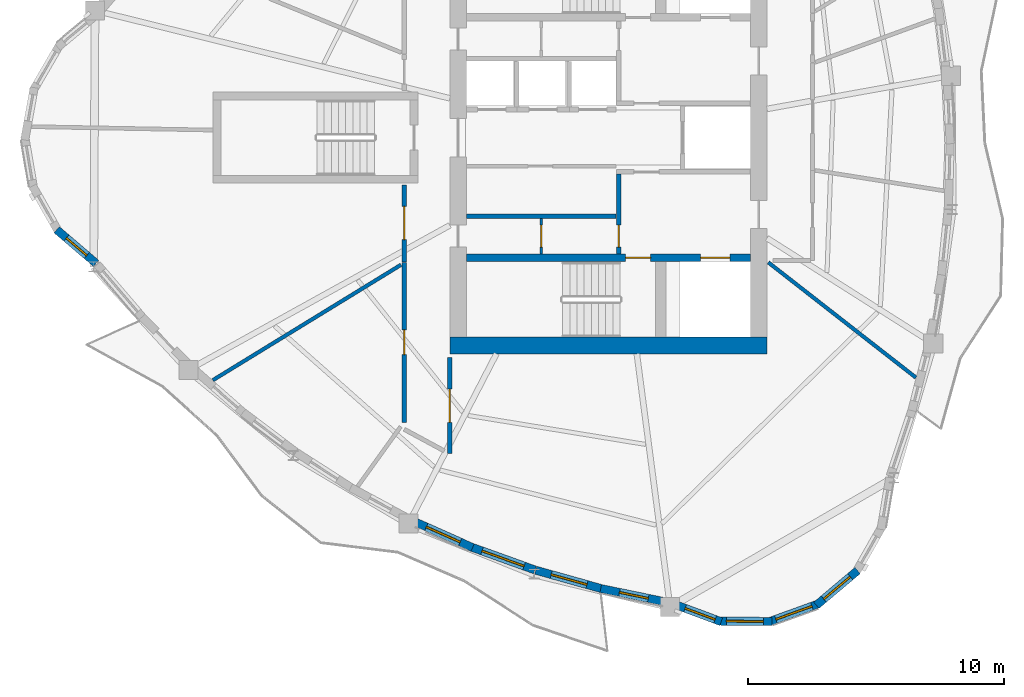
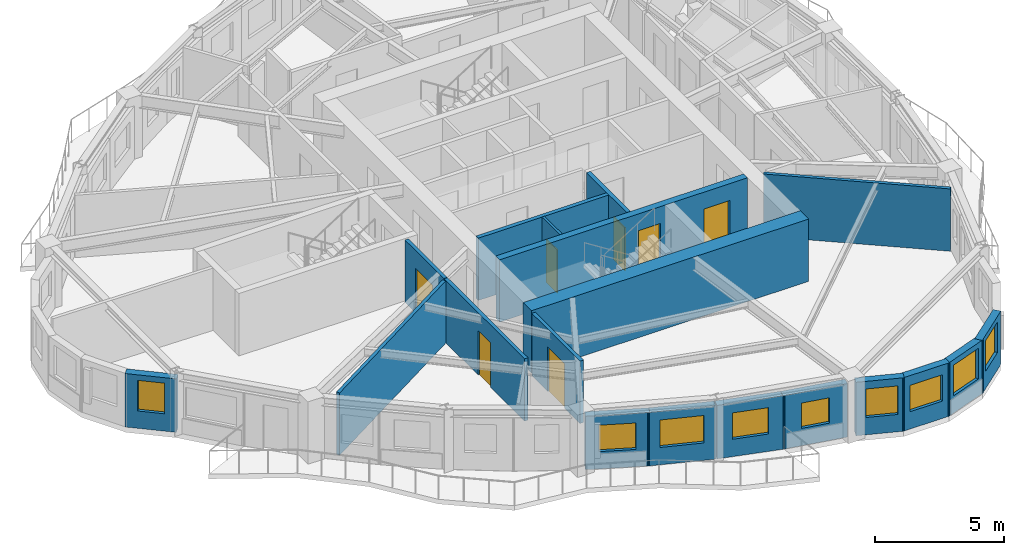
# One storey, part 3 of 12: 19 walls, 9 windows, 7 doors, 16 openings.
"""IFC4 building model written with IfcOpenShell, lengths in metres."""

from ifc_helpers import new_model, si_unit, direction, frame, frame_2d, origin, place, context, subcontext, project, spatial, rectangle, extrude, source, transform, mapped, material, layer, layer_set, type_object, element, fill, save


model = new_model("IFC4")

# Units and contexts
model_context = context("Model", 3, precision=1e-05, world=origin(), true_north=direction((0.0, 1.0)))
body_context = subcontext(model_context, "Body", "Model", "MODEL_VIEW")
ifc_project = project(units=[si_unit("LENGTHUNIT", "METRE"), si_unit("AREAUNIT", "SQUARE_METRE"), si_unit("VOLUMEUNIT", "CUBIC_METRE"), si_unit("PLANEANGLEUNIT", "RADIAN"), si_unit("MASSUNIT", "GRAM", prefix="KILO")], contexts=[model_context])

# Site, building, storey
site_placement = place(None, origin())
site = spatial("IfcSite", under=ifc_project, at=site_placement, CompositionType="ELEMENT")
building_placement = place(site_placement, origin())
building = spatial("IfcBuilding", under=site, at=building_placement, Name="Qafzar Sky-Pleat Residences", CompositionType="ELEMENT")
storey_placement = place(building_placement, frame((0.0, 0.0, 171.39990234375)))
storey = spatial("IfcBuildingStorey", under=building, at=storey_placement, Name="L51", CompositionType="ELEMENT", Elevation=171.39990234375)

# Wall, opening, door
ifc_material_1 = material(Name="Acoustic gypsum plasterboard partition", Category="gypsum")
ifc_layer_1 = layer(ifc_material_1, 0.159912109375)
ifc_layer_set_1 = layer_set([ifc_layer_1], Name="Acoustic gypsum plasterboard partition")
wall_type_1 = type_object("IfcWallType", Name="PART-COR-160", PredefinedType="PARTITIONING", material=ifc_layer_set_1)
wall_1_placement = place(storey_placement, frame((22.3701171875, 14.87109375, 0.0), z_axis=(0.0, 0.0, 1.0), x_axis=(0.0, 1.0, 0.0)))
wall_1 = element("IfcWall", 1, at=wall_1_placement, inside=storey, type_object=wall_type_1, Name="L51 Partition Wall PART-L51-PW-001", PredefinedType="PARTITIONING", context=body_context, shape_type="SweptSolid", body=[
    extrude(rectangle(XDim=6.251953125, YDim=0.159912109375, at=frame_2d((3.1259765625, 0.0))), origin(), (0.0, 0.0, 1.0), 2.9501953125),
])
opening_1_placement = place(wall_1_placement, frame((2.64990234375, 0.0, 0.0)))
opening_1 = element("IfcOpeningElement", 2, at=opening_1_placement, cuts=wall_1, Name="Opening ID-06", PredefinedType="OPENING", context=body_context, shape_type="SweptSolid", body=[
    extrude(rectangle(XDim=0.9599609375, YDim=2.10009765625, at=frame_2d((0.47998046875, 1.050048828125))), frame((0.0, 0.08984375, 0.0), z_axis=(0.0, -1.0, 0.0), x_axis=(1.0, 0.0, 0.0)), (0.0, 0.0, 1.0), 0.179931640625),
])
ifc_material_2 = material(Name="Timber-faced fire door", Category="wood")
door_type_1 = type_object("IfcDoorType", Name="DR-STD-960", OperationType="NOTDEFINED", PredefinedType="DOOR", material=ifc_material_2)
shared_shape_1 = source(origin(), body_context, "Body", "SweptSolid", [
    extrude(rectangle(XDim=0.9599609375, YDim=2.10009765625, at=frame_2d((0.47998046875, 1.050048828125))), frame((0.0, 0.02490234375, 0.0), z_axis=(0.0, -1.0, 0.0), x_axis=(1.0, 0.0, 0.0)), (0.0, 0.0, 1.0), 0.050048828125),
])
door_1_placement = place(opening_1_placement, origin())
door_1 = element("IfcDoor", 3, at=door_1_placement, inside=storey, type_object=door_type_1, Name="L51 Reading Library Door", OperationType="SINGLE_SWING_LEFT", OverallHeight=2.10009765625, OverallWidth=0.9599609375, PredefinedType="DOOR", context=body_context, shape_type="MappedRepresentation", body=[
    mapped(shared_shape_1, transform((0.0, 0.0, 0.0), x_axis=(1.0, 0.0, 0.0), y_axis=(0.0, 1.0, 0.0), z_axis=(0.0, 0.0, 1.0), scale=1.0)),
])
fill(opening_1, door_1)

wall_2_placement = place(storey_placement, frame((24.14990234375, 17.39892578125, 0.0), z_axis=(0.0, 0.0, 1.0), x_axis=(0.0, -1.0, 0.0)))
wall_2 = element("IfcWall", 4, at=wall_2_placement, inside=storey, type_object=wall_type_1, Name="L51 Partition Wall PART-L51-PW-006", PredefinedType="PARTITIONING", context=body_context, shape_type="SweptSolid", body=[
    extrude(rectangle(XDim=3.741943359375, YDim=0.159912109375, at=frame_2d((1.87109375, 0.0))), origin(), (0.0, 0.0, 1.0), 2.9501953125),
])
opening_2_placement = place(wall_2_placement, frame((1.23388671875, 0.0, 0.0)))
opening_2 = element("IfcOpeningElement", 5, at=opening_2_placement, cuts=wall_2, Name="Opening ID-05", PredefinedType="OPENING", context=body_context, shape_type="SweptSolid", body=[
    extrude(rectangle(XDim=1.300048828125, YDim=2.10009765625, at=frame_2d((0.64990234375, 1.050048828125))), frame((0.0, 0.08984375, 0.0), z_axis=(0.0, -1.0, 0.0), x_axis=(1.0, 0.0, 0.0)), (0.0, 0.0, 1.0), 0.179931640625),
])
door_type_2 = type_object("IfcDoorType", Name="DR-LNG-1300", OperationType="DOUBLE_DOOR_SINGLE_SWING", PredefinedType="DOOR", material=ifc_material_2)
shared_shape_2 = source(origin(), body_context, "Body", "SweptSolid", [
    extrude(rectangle(XDim=1.300048828125, YDim=2.10009765625, at=frame_2d((0.64990234375, 1.050048828125))), frame((0.0, 0.02490234375, 0.0), z_axis=(0.0, -1.0, 0.0), x_axis=(1.0, 0.0, 0.0)), (0.0, 0.0, 1.0), 0.050048828125),
])
door_2_placement = place(opening_2_placement, origin())
door_2 = element("IfcDoor", 6, at=door_2_placement, inside=storey, type_object=door_type_2, Name="L51 Academic Seminar Room Door", OperationType="DOUBLE_DOOR_SINGLE_SWING", OverallHeight=2.10009765625, OverallWidth=1.300048828125, PredefinedType="DOOR", context=body_context, shape_type="MappedRepresentation", body=[
    mapped(shared_shape_2, transform((0.0, 0.0, 0.0), x_axis=(1.0, 0.0, 0.0), y_axis=(0.0, 1.0, 0.0), z_axis=(0.0, 0.0, 1.0), scale=1.0)),
])
fill(opening_2, door_2)

wall_3_placement = place(storey_placement, frame((22.3701171875, 21.137939453125, 0.0), z_axis=(0.0, 0.0, 1.0), x_axis=(0.0, 1.0, 0.0)))
wall_3 = element("IfcWall", 7, at=wall_3_placement, inside=storey, type_object=wall_type_1, Name="L51 Partition Wall PART-L51-PW-009", PredefinedType="PARTITIONING", context=body_context, shape_type="SweptSolid", body=[
    extrude(rectangle(XDim=3.011962890625, YDim=0.159912109375, at=frame_2d((1.505859375, 0.0))), origin(), (0.0, 0.0, 1.0), 2.9501953125),
])
opening_3_placement = place(wall_3_placement, frame((0.87744140625, 0.0, 0.0)))
opening_3 = element("IfcOpeningElement", 8, at=opening_3_placement, cuts=wall_3, Name="Opening ID-05", PredefinedType="OPENING", context=body_context, shape_type="SweptSolid", body=[
    extrude(rectangle(XDim=1.300048828125, YDim=2.10009765625, at=frame_2d((0.64990234375, 1.050048828125))), frame((0.0, 0.08984375, 0.0), z_axis=(0.0, -1.0, 0.0), x_axis=(1.0, 0.0, 0.0)), (0.0, 0.0, 1.0), 0.179931640625),
])
door_3_placement = place(opening_3_placement, origin())
door_3 = element("IfcDoor", 9, at=door_3_placement, inside=storey, type_object=door_type_2, Name="L51 Tutorial Huddle Room Door", OperationType="DOUBLE_DOOR_SINGLE_SWING", OverallHeight=2.10009765625, OverallWidth=1.300048828125, PredefinedType="DOOR", context=body_context, shape_type="MappedRepresentation", body=[
    mapped(shared_shape_2, transform((0.0, 0.0, 0.0), x_axis=(1.0, 0.0, 0.0), y_axis=(0.0, 1.0, 0.0), z_axis=(0.0, 0.0, 1.0), scale=1.0)),
])
fill(opening_3, door_3)

ifc_material_3 = material(Name="Concrete blockwork partition", Category="masonry")
ifc_layer_2 = layer(ifc_material_3, 0.179931640625)
ifc_layer_set_2 = layer_set([ifc_layer_2], Name="Concrete blockwork partition")
wall_type_2 = type_object("IfcWallType", Name="PART-SHAFT-180", PredefinedType="PARTITIONING", material=ifc_layer_set_2)
wall_4_placement = place(storey_placement, frame((30.75, 21.4599609375, 0.0), z_axis=(0.0, 0.0, 1.0), x_axis=(0.0, 1.0, 0.0)))
wall_4 = element("IfcWall", 10, at=wall_4_placement, inside=storey, type_object=wall_type_2, Name="L51 Partition Wall PART-L51-FFL1-W", PredefinedType="PARTITIONING", context=body_context, shape_type="SweptSolid", body=[
    extrude(rectangle(XDim=3.110107421875, YDim=0.179931640625, at=frame_2d((1.55517578125, 0.0))), origin(), (0.0, 0.0, 1.0), 2.9501953125),
])
opening_4_placement = place(wall_4_placement, frame((0.260009765625, 0.0, 0.0)))
opening_4 = element("IfcOpeningElement", 11, at=opening_4_placement, cuts=wall_4, Name="Opening ID-09", PredefinedType="OPENING", context=body_context, shape_type="SweptSolid", body=[
    extrude(rectangle(XDim=0.860107421875, YDim=2.050048828125, at=frame_2d((0.43017578125, 1.02490234375))), frame((0.0, 0.10009765625, 0.0), z_axis=(0.0, -1.0, 0.0), x_axis=(1.0, 0.0, 0.0)), (0.0, 0.0, 1.0), 0.199951171875),
])
door_type_3 = type_object("IfcDoorType", Name="DR-SVC-860", OperationType="NOTDEFINED", PredefinedType="DOOR", material=ifc_material_2)
shared_shape_3 = source(origin(), body_context, "Body", "SweptSolid", [
    extrude(rectangle(XDim=0.860107421875, YDim=2.050048828125, at=frame_2d((0.43017578125, 1.02490234375))), frame((0.0, 0.02490234375, 0.0), z_axis=(0.0, -1.0, 0.0), x_axis=(1.0, 0.0, 0.0)), (0.0, 0.0, 1.0), 0.050048828125),
])
door_4_placement = place(opening_4_placement, origin())
door_4 = element("IfcDoor", 12, at=door_4_placement, inside=storey, type_object=door_type_3, Name="L51 South Core Cupboard Door", OperationType="SINGLE_SWING_RIGHT", OverallHeight=2.050048828125, OverallWidth=0.860107421875, PredefinedType="DOOR", context=body_context, shape_type="MappedRepresentation", body=[
    mapped(shared_shape_3, transform((0.0, 0.0, 0.0), x_axis=(1.0, 0.0, 0.0), y_axis=(0.0, 1.0, 0.0), z_axis=(0.0, 0.0, 1.0), scale=1.0)),
])
fill(opening_4, door_4)

# Wall
wall_5_placement = place(storey_placement, frame((24.81005859375, 22.919921875, 0.0), z_axis=(0.0, 0.0, 1.0), x_axis=(1.0, 0.0, 0.0)))
element("IfcWall", 13, at=wall_5_placement, inside=storey, type_object=wall_type_2, Name="L51 Partition Wall PART-L51-P13-S", PredefinedType="PARTITIONING", context=body_context, shape_type="SweptSolid", body=[
    extrude(rectangle(XDim=5.83984375, YDim=0.179931640625, at=frame_2d((2.919921875, 0.0))), origin(), (0.0, 0.0, 1.0), 2.9501953125),
])

# Wall, opening, door
ifc_material_4 = material(Name="Gypsum plasterboard partition", Category="gypsum")
ifc_layer_3 = layer(ifc_material_4, 0.114990234375)
ifc_layer_set_3 = layer_set([ifc_layer_3], Name="Gypsum plasterboard partition")
wall_type_3 = type_object("IfcWallType", Name="PART-SVC-115", PredefinedType="PARTITIONING", material=ifc_layer_set_3)
wall_6_placement = place(storey_placement, frame((27.72509765625, 21.4599609375, 0.0), z_axis=(0.0, 0.0, 1.0), x_axis=(0.0, 1.0, 0.0)))
wall_6 = element("IfcWall", 14, at=wall_6_placement, inside=storey, type_object=wall_type_3, Name="L51 Partition Wall PART-L51-KB-SW", PredefinedType="PARTITIONING", context=body_context, shape_type="SweptSolid", body=[
    extrude(rectangle(XDim=1.380126953125, YDim=0.114990234375, at=frame_2d((0.68994140625, 0.0))), origin(), (0.0, 0.0, 1.0), 2.9501953125),
])
opening_5_placement = place(wall_6_placement, frame((0.260009765625, 0.0, 0.0)))
opening_5 = element("IfcOpeningElement", 15, at=opening_5_placement, cuts=wall_6, Name="Opening ID-09", PredefinedType="OPENING", context=body_context, shape_type="SweptSolid", body=[
    extrude(rectangle(XDim=0.860107421875, YDim=2.050048828125, at=frame_2d((0.43017578125, 1.02490234375))), frame((0.0, 0.0673828125, 0.0), z_axis=(0.0, -1.0, 0.0), x_axis=(1.0, 0.0, 0.0)), (0.0, 0.0, 1.0), 0.135009765625),
])
door_5_placement = place(opening_5_placement, origin())
door_5 = element("IfcDoor", 16, at=door_5_placement, inside=storey, type_object=door_type_3, Name="L51 BMS Metering Cupboard Door", OperationType="SINGLE_SWING_LEFT", OverallHeight=2.050048828125, OverallWidth=0.860107421875, PredefinedType="DOOR", context=body_context, shape_type="MappedRepresentation", body=[
    mapped(shared_shape_3, transform((0.0, 0.0, 0.0), x_axis=(1.0, 0.0, 0.0), y_axis=(0.0, 1.0, 0.0), z_axis=(0.0, 0.0, 1.0), scale=1.0)),
])
fill(opening_5, door_5)

# Walls
ifc_layer_4 = layer(ifc_material_1, 0.14501953125)
ifc_layer_set_4 = layer_set([ifc_layer_4], Name="Acoustic gypsum plasterboard partition")
wall_type_4 = type_object("IfcWallType", Name="PART-UNIT-145", PredefinedType="PARTITIONING", material=ifc_layer_set_4)
wall_7_placement = place(storey_placement, frame((14.89013671875, 16.518798828125, 0.0), z_axis=(0.0, 0.0, 1.0), x_axis=(0.852461734542, 0.522789624171, 0.0)))
element("IfcWall", 17, at=wall_7_placement, inside=storey, type_object=wall_type_4, Name="L51 Partition Wall PART-L51-PW-014", PredefinedType="PARTITIONING", context=body_context, shape_type="SweptSolid", body=[
    extrude(rectangle(XDim=8.628173828125, YDim=0.14501953125, at=frame_2d((4.31396484375, 0.0))), origin(), (0.0, 0.0, 1.0), 2.9501953125),
])
wall_8_placement = place(storey_placement, frame((36.600830078125, 21.121337890625, 0.0), z_axis=(0.0, 0.0, 1.0), x_axis=(0.788361177129, -0.615212690372, 0.0)))
element("IfcWall", 18, at=wall_8_placement, inside=storey, type_object=wall_type_4, Name="L51 Partition Wall PART-L51-PW-016", PredefinedType="PARTITIONING", context=body_context, shape_type="SweptSolid", body=[
    extrude(rectangle(XDim=7.31640625, YDim=0.14501953125, at=frame_2d((3.658203125, 0.0))), origin(), (0.0, 0.0, 1.0), 2.9501953125),
])

# Wall, opening, window
ifc_material_5 = material(Name="Precast concrete C40/50 with honed Riyadh limestone", Category="concrete")
ifc_layer_5 = layer(ifc_material_5, 0.320068359375)
ifc_layer_set_5 = layer_set([ifc_layer_5], Name="Precast concrete C40/50 with honed Riyadh limestone")
wall_type_5 = type_object("IfcWallType", Name="WALL-EXT-320", PredefinedType="SOLIDWALL", material=ifc_layer_set_5)
wall_9_placement = place(storey_placement, frame((8.785400390625, 22.3984375, 0.0), z_axis=(0.0, 0.0, 1.0), x_axis=(0.760269373804, -0.649607942728, 0.0)))
wall_9 = element("IfcWall", 19, at=wall_9_placement, inside=storey, type_object=wall_type_5, Name="L51 Limestone Facade Wall 6", PredefinedType="SOLIDWALL", context=body_context, shape_type="SweptSolid", body=[
    extrude(rectangle(XDim=2.023193359375, YDim=0.320068359375, at=frame_2d((1.01171875, 0.0))), origin(), (0.0, 0.0, 1.0), 2.530029296875),
])
opening_6_placement = place(wall_9_placement, frame((0.49658203125, 0.0, 0.820068359375)))
opening_6 = element("IfcOpeningElement", 20, at=opening_6_placement, cuts=wall_9, Name="Opening WN-06", PredefinedType="OPENING", context=body_context, shape_type="SweptSolid", body=[
    extrude(rectangle(XDim=1.050048828125, YDim=1.449951171875, at=frame_2d((0.52490234375, 0.72509765625))), frame((0.0, 0.169921875, 0.0), z_axis=(0.0, -1.0, 0.0), x_axis=(1.0, 0.0, 0.0)), (0.0, 0.0, 1.0), 0.340087890625),
])
ifc_material_6 = material(Name="Solar-control low-E glass in bronze aluminium frame", Category="glass")
window_type_1 = type_object("IfcWindowType", Name="WIN-06", PartitioningType="SINGLE_PANEL", PredefinedType="WINDOW", material=ifc_material_6)
shared_shape_4 = source(origin(), body_context, "Body", "SweptSolid", [
    extrude(rectangle(XDim=1.050048828125, YDim=1.449951171875, at=frame_2d((0.52490234375, 0.72509765625))), frame((0.0, 0.030029296875, 0.0), z_axis=(0.0, -1.0, 0.0), x_axis=(1.0, 0.0, 0.0)), (0.0, 0.0, 1.0), 0.06005859375),
])
window_1_placement = place(opening_6_placement, origin())
window_1 = element("IfcWindow", 21, at=window_1_placement, inside=storey, type_object=window_type_1, Name="L51 Punched Facade Window 06", OverallHeight=1.449951171875, OverallWidth=1.050048828125, PartitioningType="SINGLE_PANEL", PredefinedType="WINDOW", context=body_context, shape_type="MappedRepresentation", body=[
    mapped(shared_shape_4, transform((0.0, 0.0, 0.0), x_axis=(1.0, 0.0, 0.0), y_axis=(0.0, 1.0, 0.0), z_axis=(0.0, 0.0, 1.0), scale=1.0)),
])
fill(opening_6, window_1)

wall_10_placement = place(storey_placement, frame((22.754150390625, 10.994384765625, 0.0), z_axis=(0.0, 0.0, 1.0), x_axis=(0.913187742102, -0.407539136372, 0.0)))
wall_10 = element("IfcWall", 22, at=wall_10_placement, inside=storey, type_object=wall_type_5, Name="L51 Limestone Facade Wall 13", PredefinedType="SOLIDWALL", context=body_context, shape_type="SweptSolid", body=[
    extrude(rectangle(XDim=2.505859375, YDim=0.320068359375, at=frame_2d((1.2529296875, 0.0))), origin(), (0.0, 0.0, 1.0), 2.530029296875),
])
opening_7_placement = place(wall_10_placement, frame((0.52294921875, 0.0, 0.820068359375)))
opening_7 = element("IfcOpeningElement", 23, at=opening_7_placement, cuts=wall_10, Name="Opening WN-15", PredefinedType="OPENING", context=body_context, shape_type="SweptSolid", body=[
    extrude(rectangle(XDim=1.449951171875, YDim=1.25, at=frame_2d((0.72509765625, 0.625))), frame((0.0, 0.169921875, 0.0), z_axis=(0.0, -1.0, 0.0), x_axis=(1.0, 0.0, 0.0)), (0.0, 0.0, 1.0), 0.340087890625),
])
window_type_2 = type_object("IfcWindowType", Name="WIN-15", PartitioningType="SINGLE_PANEL", PredefinedType="WINDOW", material=ifc_material_6)
shared_shape_5 = source(origin(), body_context, "Body", "SweptSolid", [
    extrude(rectangle(XDim=1.449951171875, YDim=1.25, at=frame_2d((0.72509765625, 0.625))), frame((0.0, 0.030029296875, 0.0), z_axis=(0.0, -1.0, 0.0), x_axis=(1.0, 0.0, 0.0)), (0.0, 0.0, 1.0), 0.06005859375),
])
window_2_placement = place(opening_7_placement, origin())
window_2 = element("IfcWindow", 24, at=window_2_placement, inside=storey, type_object=window_type_2, Name="L51 Punched Facade Window 13", OverallHeight=1.25, OverallWidth=1.449951171875, PartitioningType="SINGLE_PANEL", PredefinedType="WINDOW", context=body_context, shape_type="MappedRepresentation", body=[
    mapped(shared_shape_5, transform((0.0, 0.0, 0.0), x_axis=(1.0, 0.0, 0.0), y_axis=(0.0, 1.0, 0.0), z_axis=(0.0, 0.0, 1.0), scale=1.0)),
])
fill(opening_7, window_2)

wall_11_placement = place(storey_placement, frame((24.9609375, 10.005859375, 0.0), z_axis=(0.0, 0.0, 1.0), x_axis=(0.940902502747, -0.338677546236, 0.0)))
wall_11 = element("IfcWall", 25, at=wall_11_placement, inside=storey, type_object=wall_type_5, Name="L51 Limestone Facade Wall 14", PredefinedType="SOLIDWALL", context=body_context, shape_type="SweptSolid", body=[
    extrude(rectangle(XDim=2.680908203125, YDim=0.320068359375, at=frame_2d((1.34033203125, 0.0))), origin(), (0.0, 0.0, 1.0), 2.530029296875),
])
opening_8_placement = place(wall_11_placement, frame((0.475341796875, 0.0, 0.820068359375)))
opening_8 = element("IfcOpeningElement", 26, at=opening_8_placement, cuts=wall_11, Name="Opening WN-14", PredefinedType="OPENING", context=body_context, shape_type="SweptSolid", body=[
    extrude(rectangle(XDim=1.75, YDim=1.300048828125, at=frame_2d((0.875, 0.64990234375))), frame((0.0, 0.169921875, 0.0), z_axis=(0.0, -1.0, 0.0), x_axis=(1.0, 0.0, 0.0)), (0.0, 0.0, 1.0), 0.340087890625),
])
window_type_3 = type_object("IfcWindowType", Name="WIN-14", PartitioningType="DOUBLE_PANEL_VERTICAL", PredefinedType="WINDOW", material=ifc_material_6)
shared_shape_6 = source(origin(), body_context, "Body", "SweptSolid", [
    extrude(rectangle(XDim=1.75, YDim=1.300048828125, at=frame_2d((0.875, 0.64990234375))), frame((0.0, 0.030029296875, 0.0), z_axis=(0.0, -1.0, 0.0), x_axis=(1.0, 0.0, 0.0)), (0.0, 0.0, 1.0), 0.06005859375),
])
window_3_placement = place(opening_8_placement, origin())
window_3 = element("IfcWindow", 27, at=window_3_placement, inside=storey, type_object=window_type_3, Name="L51 Punched Facade Window 14", OverallHeight=1.300048828125, OverallWidth=1.75, PartitioningType="SINGLE_PANEL", PredefinedType="WINDOW", context=body_context, shape_type="MappedRepresentation", body=[
    mapped(shared_shape_6, transform((0.0, 0.0, 0.0), x_axis=(1.0, 0.0, 0.0), y_axis=(0.0, 1.0, 0.0), z_axis=(0.0, 0.0, 1.0), scale=1.0)),
])
fill(opening_8, window_3)

wall_12_placement = place(storey_placement, frame((27.510498046875, 9.08935546875, 0.0), z_axis=(0.0, 0.0, 1.0), x_axis=(0.962851346879, -0.270032005164, 0.0)))
wall_12 = element("IfcWall", 28, at=wall_12_placement, inside=storey, type_object=wall_type_5, Name="L51 Limestone Facade Wall 15", PredefinedType="SOLIDWALL", context=body_context, shape_type="SweptSolid", body=[
    extrude(rectangle(XDim=2.72509765625, YDim=0.320068359375, at=frame_2d((1.362548828125, 0.0))), origin(), (0.0, 0.0, 1.0), 2.530029296875),
])
opening_9_placement = place(wall_12_placement, frame((0.62744140625, 0.0, 0.820068359375)))
opening_9 = element("IfcOpeningElement", 29, at=opening_9_placement, cuts=wall_12, Name="Opening WN-15", PredefinedType="OPENING", context=body_context, shape_type="SweptSolid", body=[
    extrude(rectangle(XDim=1.449951171875, YDim=1.25, at=frame_2d((0.72509765625, 0.625))), frame((0.0, 0.169921875, 0.0), z_axis=(0.0, -1.0, 0.0), x_axis=(1.0, 0.0, 0.0)), (0.0, 0.0, 1.0), 0.340087890625),
])
window_4_placement = place(opening_9_placement, origin())
window_4 = element("IfcWindow", 30, at=window_4_placement, inside=storey, type_object=window_type_2, Name="L51 Punched Facade Window 15", OverallHeight=1.25, OverallWidth=1.449951171875, PartitioningType="SINGLE_PANEL", PredefinedType="WINDOW", context=body_context, shape_type="MappedRepresentation", body=[
    mapped(shared_shape_5, transform((0.0, 0.0, 0.0), x_axis=(1.0, 0.0, 0.0), y_axis=(0.0, 1.0, 0.0), z_axis=(0.0, 0.0, 1.0), scale=1.0)),
])
fill(opening_9, window_4)

wall_13_placement = place(storey_placement, frame((30.049560546875, 8.374267578125, 0.0), z_axis=(0.0, 0.0, 1.0), x_axis=(0.979318634508, -0.202324027505, 0.0)))
wall_13 = element("IfcWall", 31, at=wall_13_placement, inside=storey, type_object=wall_type_5, Name="L51 Limestone Facade Wall 16", PredefinedType="SOLIDWALL", context=body_context, shape_type="SweptSolid", body=[
    extrude(rectangle(XDim=2.6376953125, YDim=0.320068359375, at=frame_2d((1.31884765625, 0.0))), origin(), (0.0, 0.0, 1.0), 2.530029296875),
])
opening_10_placement = place(wall_13_placement, frame((0.748779296875, 0.0, 0.820068359375)))
opening_10 = element("IfcOpeningElement", 32, at=opening_10_placement, cuts=wall_13, Name="Opening WN-16", PredefinedType="OPENING", context=body_context, shape_type="SweptSolid", body=[
    extrude(rectangle(XDim=1.14990234375, YDim=1.199951171875, at=frame_2d((0.574951171875, 0.60009765625))), frame((0.0, 0.169921875, 0.0), z_axis=(0.0, -1.0, 0.0), x_axis=(1.0, 0.0, 0.0)), (0.0, 0.0, 1.0), 0.340087890625),
])
window_type_4 = type_object("IfcWindowType", Name="WIN-16", PartitioningType="SINGLE_PANEL", PredefinedType="WINDOW", material=ifc_material_6)
shared_shape_7 = source(origin(), body_context, "Body", "SweptSolid", [
    extrude(rectangle(XDim=1.14990234375, YDim=1.199951171875, at=frame_2d((0.574951171875, 0.60009765625))), frame((0.0, 0.030029296875, 0.0), z_axis=(0.0, -1.0, 0.0), x_axis=(1.0, 0.0, 0.0)), (0.0, 0.0, 1.0), 0.06005859375),
])
window_5_placement = place(opening_10_placement, origin())
window_5 = element("IfcWindow", 33, at=window_5_placement, inside=storey, type_object=window_type_4, Name="L51 Punched Facade Window 16", OverallHeight=1.199951171875, OverallWidth=1.14990234375, PartitioningType="SINGLE_PANEL", PredefinedType="WINDOW", context=body_context, shape_type="MappedRepresentation", body=[
    mapped(shared_shape_7, transform((0.0, 0.0, 0.0), x_axis=(1.0, 0.0, 0.0), y_axis=(0.0, 1.0, 0.0), z_axis=(0.0, 0.0, 1.0), scale=1.0)),
])
fill(opening_10, window_5)

wall_14_placement = place(storey_placement, frame((32.972412109375, 7.74267578125, 0.0), z_axis=(0.0, 0.0, 1.0), x_axis=(0.93690697627, -0.349578771977, 0.0)))
wall_14 = element("IfcWall", 34, at=wall_14_placement, inside=storey, type_object=wall_type_5, Name="L51 Limestone Facade Wall 17", PredefinedType="SOLIDWALL", context=body_context, shape_type="SweptSolid", body=[
    extrude(rectangle(XDim=1.906005859375, YDim=0.320068359375, at=frame_2d((0.953125, 0.0))), origin(), (0.0, 0.0, 1.0), 2.530029296875),
])
opening_11_placement = place(wall_14_placement, frame((0.40283203125, 0.0, 0.820068359375)))
opening_11 = element("IfcOpeningElement", 35, at=opening_11_placement, cuts=wall_14, Name="Opening WN-11", PredefinedType="OPENING", context=body_context, shape_type="SweptSolid", body=[
    extrude(rectangle(XDim=1.25, YDim=1.35009765625, at=frame_2d((0.625, 0.675048828125))), frame((0.0, 0.169921875, 0.0), z_axis=(0.0, -1.0, 0.0), x_axis=(1.0, 0.0, 0.0)), (0.0, 0.0, 1.0), 0.340087890625),
])
window_type_5 = type_object("IfcWindowType", Name="WIN-11", PartitioningType="SINGLE_PANEL", PredefinedType="WINDOW", material=ifc_material_6)
shared_shape_8 = source(origin(), body_context, "Body", "SweptSolid", [
    extrude(rectangle(XDim=1.25, YDim=1.35009765625, at=frame_2d((0.625, 0.675048828125))), frame((0.0, 0.030029296875, 0.0), z_axis=(0.0, -1.0, 0.0), x_axis=(1.0, 0.0, 0.0)), (0.0, 0.0, 1.0), 0.06005859375),
])
window_6_placement = place(opening_11_placement, origin())
window_6 = element("IfcWindow", 36, at=window_6_placement, inside=storey, type_object=window_type_5, Name="L51 Punched Facade Window 17", OverallHeight=1.35009765625, OverallWidth=1.25, PartitioningType="SINGLE_PANEL", PredefinedType="WINDOW", context=body_context, shape_type="MappedRepresentation", body=[
    mapped(shared_shape_8, transform((0.0, 0.0, 0.0), x_axis=(1.0, 0.0, 0.0), y_axis=(0.0, 1.0, 0.0), z_axis=(0.0, 0.0, 1.0), scale=1.0)),
])
fill(opening_11, window_6)

wall_15_placement = place(storey_placement, frame((34.62939453125, 7.099853515625, 0.0), z_axis=(0.0, 0.0, 1.0), x_axis=(0.9999881768, -0.004862742089, 0.0)))
wall_15 = element("IfcWall", 37, at=wall_15_placement, inside=storey, type_object=wall_type_5, Name="L51 Limestone Facade Wall 18", PredefinedType="SOLIDWALL", context=body_context, shape_type="SweptSolid", body=[
    extrude(rectangle(XDim=2.108642578125, YDim=0.320068359375, at=frame_2d((1.05419921875, 0.0))), origin(), (0.0, 0.0, 1.0), 2.530029296875),
])
opening_12_placement = place(wall_15_placement, frame((0.329345703125, 0.0, 0.820068359375)))
opening_12 = element("IfcOpeningElement", 38, at=opening_12_placement, cuts=wall_15, Name="Opening WN-15", PredefinedType="OPENING", context=body_context, shape_type="SweptSolid", body=[
    extrude(rectangle(XDim=1.449951171875, YDim=1.25, at=frame_2d((0.72509765625, 0.625))), frame((0.0, 0.169921875, 0.0), z_axis=(0.0, -1.0, 0.0), x_axis=(1.0, 0.0, 0.0)), (0.0, 0.0, 1.0), 0.340087890625),
])
window_7_placement = place(opening_12_placement, origin())
window_7 = element("IfcWindow", 39, at=window_7_placement, inside=storey, type_object=window_type_2, Name="L51 Punched Facade Window 18", OverallHeight=1.25, OverallWidth=1.449951171875, PartitioningType="SINGLE_PANEL", PredefinedType="WINDOW", context=body_context, shape_type="MappedRepresentation", body=[
    mapped(shared_shape_5, transform((0.0, 0.0, 0.0), x_axis=(1.0, 0.0, 0.0), y_axis=(0.0, 1.0, 0.0), z_axis=(0.0, 0.0, 1.0), scale=1.0)),
])
fill(opening_12, window_7)

wall_16_placement = place(storey_placement, frame((36.60888671875, 7.0673828125, 0.0), z_axis=(0.0, 0.0, 1.0), x_axis=(0.940255626786, 0.340469317702, 0.0)))
wall_16 = element("IfcWall", 40, at=wall_16_placement, inside=storey, type_object=wall_type_5, Name="L51 Limestone Facade Wall 19", PredefinedType="SOLIDWALL", context=body_context, shape_type="SweptSolid", body=[
    extrude(rectangle(XDim=2.10888671875, YDim=0.320068359375, at=frame_2d((1.054443359375, 0.0))), origin(), (0.0, 0.0, 1.0), 2.530029296875),
])
opening_13_placement = place(wall_16_placement, frame((0.304443359375, 0.0, 0.820068359375)))
opening_13 = element("IfcOpeningElement", 41, at=opening_13_placement, cuts=wall_16, Name="Opening WN-03", PredefinedType="OPENING", context=body_context, shape_type="SweptSolid", body=[
    extrude(rectangle(XDim=1.5, YDim=1.449951171875, at=frame_2d((0.75, 0.72509765625))), frame((0.0, 0.169921875, 0.0), z_axis=(0.0, -1.0, 0.0), x_axis=(1.0, 0.0, 0.0)), (0.0, 0.0, 1.0), 0.340087890625),
])
window_type_6 = type_object("IfcWindowType", Name="WIN-03", PartitioningType="DOUBLE_PANEL_VERTICAL", PredefinedType="WINDOW", material=ifc_material_6)
shared_shape_9 = source(origin(), body_context, "Body", "SweptSolid", [
    extrude(rectangle(XDim=1.5, YDim=1.449951171875, at=frame_2d((0.75, 0.72509765625))), frame((0.0, 0.030029296875, 0.0), z_axis=(0.0, -1.0, 0.0), x_axis=(1.0, 0.0, 0.0)), (0.0, 0.0, 1.0), 0.06005859375),
])
window_8_placement = place(opening_13_placement, origin())
window_8 = element("IfcWindow", 42, at=window_8_placement, inside=storey, type_object=window_type_6, Name="L51 Punched Facade Window 19", OverallHeight=1.449951171875, OverallWidth=1.5, PartitioningType="SINGLE_PANEL", PredefinedType="WINDOW", context=body_context, shape_type="MappedRepresentation", body=[
    mapped(shared_shape_9, transform((0.0, 0.0, 0.0), x_axis=(1.0, 0.0, 0.0), y_axis=(0.0, 1.0, 0.0), z_axis=(0.0, 0.0, 1.0), scale=1.0)),
])
fill(opening_13, window_8)

wall_17_placement = place(storey_placement, frame((38.478515625, 7.719970703125, 0.0), z_axis=(0.0, 0.0, 1.0), x_axis=(0.76506129474, 0.643957463883, 0.0)))
wall_17 = element("IfcWall", 43, at=wall_17_placement, inside=storey, type_object=wall_type_5, Name="L51 Limestone Facade Wall 20", PredefinedType="SOLIDWALL", context=body_context, shape_type="SweptSolid", body=[
    extrude(rectangle(XDim=2.108642578125, YDim=0.320068359375, at=frame_2d((1.05419921875, 0.0))), origin(), (0.0, 0.0, 1.0), 2.530029296875),
])
opening_14_placement = place(wall_17_placement, frame((0.37939453125, 0.0, 0.820068359375)))
opening_14 = element("IfcOpeningElement", 44, at=opening_14_placement, cuts=wall_17, Name="Opening WN-04", PredefinedType="OPENING", context=body_context, shape_type="SweptSolid", body=[
    extrude(rectangle(XDim=1.35009765625, YDim=1.449951171875, at=frame_2d((0.675048828125, 0.72509765625))), frame((0.0, 0.169921875, 0.0), z_axis=(0.0, -1.0, 0.0), x_axis=(1.0, 0.0, 0.0)), (0.0, 0.0, 1.0), 0.340087890625),
])
window_type_7 = type_object("IfcWindowType", Name="WIN-04", PartitioningType="SINGLE_PANEL", PredefinedType="WINDOW", material=ifc_material_6)
shared_shape_10 = source(origin(), body_context, "Body", "SweptSolid", [
    extrude(rectangle(XDim=1.35009765625, YDim=1.449951171875, at=frame_2d((0.675048828125, 0.72509765625))), frame((0.0, 0.030029296875, 0.0), z_axis=(0.0, -1.0, 0.0), x_axis=(1.0, 0.0, 0.0)), (0.0, 0.0, 1.0), 0.06005859375),
])
window_9_placement = place(opening_14_placement, origin())
window_9 = element("IfcWindow", 45, at=window_9_placement, inside=storey, type_object=window_type_7, Name="L51 Punched Facade Window 20", OverallHeight=1.449951171875, OverallWidth=1.35009765625, PartitioningType="SINGLE_PANEL", PredefinedType="WINDOW", context=body_context, shape_type="MappedRepresentation", body=[
    mapped(shared_shape_10, transform((0.0, 0.0, 0.0), x_axis=(1.0, 0.0, 0.0), y_axis=(0.0, 1.0, 0.0), z_axis=(0.0, 0.0, 1.0), scale=1.0)),
])
fill(opening_14, window_9)

# Wall, openings, doors
ifc_material_7 = material(Name="Concrete C60/75", Category="concrete")
ifc_layer_6 = layer(ifc_material_7, 0.300048828125)
ifc_layer_set_6 = layer_set([ifc_layer_6], Name="Concrete C60/75")
wall_type_6 = type_object("IfcWallType", Name="WALL-SHEAR-300", PredefinedType="SHEAR", material=ifc_layer_set_6)
wall_18_placement = place(storey_placement, frame((24.800048828125, 21.300048828125, 0.0), z_axis=(0.0, 0.0, 1.0), x_axis=(1.0, 0.0, 0.0)))
wall_18 = element("IfcWall", 46, at=wall_18_placement, inside=storey, type_object=wall_type_6, Name="L51 Stair ST1 and FF1 Shaft North Wall", PredefinedType="SHEAR", context=body_context, shape_type="SweptSolid", body=[
    extrude(rectangle(XDim=11.099853515625, YDim=0.300048828125, at=frame_2d((5.5498046875, 0.0))), origin(), (0.0, 0.0, 1.0), 2.9501953125),
])
opening_15_placement = place(wall_18_placement, frame((6.219970703125, 0.0, 0.0)))
opening_15 = element("IfcOpeningElement", 47, at=opening_15_placement, cuts=wall_18, Name="Opening ID-01", PredefinedType="OPENING", context=body_context, shape_type="SweptSolid", body=[
    extrude(rectangle(XDim=0.97998046875, YDim=2.14990234375, at=frame_2d((0.489990234375, 1.074951171875))), frame((0.0, 0.16015625, 0.0), z_axis=(0.0, -1.0, 0.0), x_axis=(1.0, 0.0, 0.0)), (0.0, 0.0, 1.0), 0.320068359375),
])
opening_16_placement = place(wall_18_placement, frame((9.14990234375, 0.0, 0.0)))
opening_16 = element("IfcOpeningElement", 48, at=opening_16_placement, cuts=wall_18, Name="Opening LD-02", PredefinedType="OPENING", context=body_context, shape_type="SweptSolid", body=[
    extrude(rectangle(XDim=1.14990234375, YDim=2.14990234375, at=frame_2d((0.574951171875, 1.074951171875))), frame((0.0, 0.16015625, 0.0), z_axis=(0.0, -1.0, 0.0), x_axis=(1.0, 0.0, 0.0)), (0.0, 0.0, 1.0), 0.320068359375),
])
door_type_4 = type_object("IfcDoorType", Name="DR-STAIR-980", OperationType="NOTDEFINED", PredefinedType="DOOR", material=ifc_material_2)
shared_shape_11 = source(origin(), body_context, "Body", "SweptSolid", [
    extrude(rectangle(XDim=0.97998046875, YDim=2.14990234375, at=frame_2d((0.489990234375, 1.074951171875))), frame((0.0, 0.02490234375, 0.0), z_axis=(0.0, -1.0, 0.0), x_axis=(1.0, 0.0, 0.0)), (0.0, 0.0, 1.0), 0.050048828125),
])
door_6_placement = place(opening_15_placement, origin())
door_6 = element("IfcDoor", 49, at=door_6_placement, inside=storey, type_object=door_type_4, Name="L51 Stair ST1 Fire Door", OperationType="SINGLE_SWING_LEFT", OverallHeight=2.14990234375, OverallWidth=0.97998046875, PredefinedType="DOOR", context=body_context, shape_type="MappedRepresentation", body=[
    mapped(shared_shape_11, transform((0.0, 0.0, 0.0), x_axis=(1.0, 0.0, 0.0), y_axis=(0.0, 1.0, 0.0), z_axis=(0.0, 0.0, 1.0), scale=1.0)),
])
fill(opening_15, door_6)
ifc_material_8 = material(Name="Stainless steel sliding landing door", Category="steel")
door_type_5 = type_object("IfcDoorType", Name="DR-LIFT-FF", OperationType="DOUBLE_DOOR_SLIDING", PredefinedType="DOOR", material=ifc_material_8)
shared_shape_12 = source(origin(), body_context, "Body", "SweptSolid", [
    extrude(rectangle(XDim=1.14990234375, YDim=2.14990234375, at=frame_2d((0.574951171875, 1.074951171875))), frame((0.0, 0.02490234375, 0.0), z_axis=(0.0, -1.0, 0.0), x_axis=(1.0, 0.0, 0.0)), (0.0, 0.0, 1.0), 0.050048828125),
])
door_7_placement = place(opening_16_placement, origin())
door_7 = element("IfcDoor", 50, at=door_7_placement, inside=storey, type_object=door_type_5, Name="L51 Firefighting Lift FF1 Landing Door", OperationType="DOUBLE_DOOR_SLIDING", OverallHeight=2.14990234375, OverallWidth=1.14990234375, PredefinedType="DOOR", context=body_context, shape_type="MappedRepresentation", body=[
    mapped(shared_shape_12, transform((0.0, 0.0, 0.0), x_axis=(1.0, 0.0, 0.0), y_axis=(0.0, 1.0, 0.0), z_axis=(0.0, 0.0, 1.0), scale=1.0)),
])
fill(opening_16, door_7)

# Wall
ifc_layer_7 = layer(ifc_material_7, 0.64990234375)
ifc_layer_set_7 = layer_set([ifc_layer_7], Name="Concrete C60/75")
wall_type_7 = type_object("IfcWallType", Name="WALL-SHEAR-650", PredefinedType="SHEAR", material=ifc_layer_set_7)
wall_19_placement = place(storey_placement, frame((24.14990234375, 17.875, 0.0), z_axis=(0.0, 0.0, 1.0), x_axis=(1.0, 0.0, 0.0)))
element("IfcWall", 51, at=wall_19_placement, inside=storey, type_object=wall_type_7, Name="L51 CORE wall S", PredefinedType="SHEAR", context=body_context, shape_type="SweptSolid", body=[
    extrude(rectangle(XDim=12.400146484375, YDim=0.64990234375, at=frame_2d((6.2001953125, 0.0))), origin(), (0.0, 0.0, 1.0), 2.9501953125),
])

save(model, "model.ifc")
